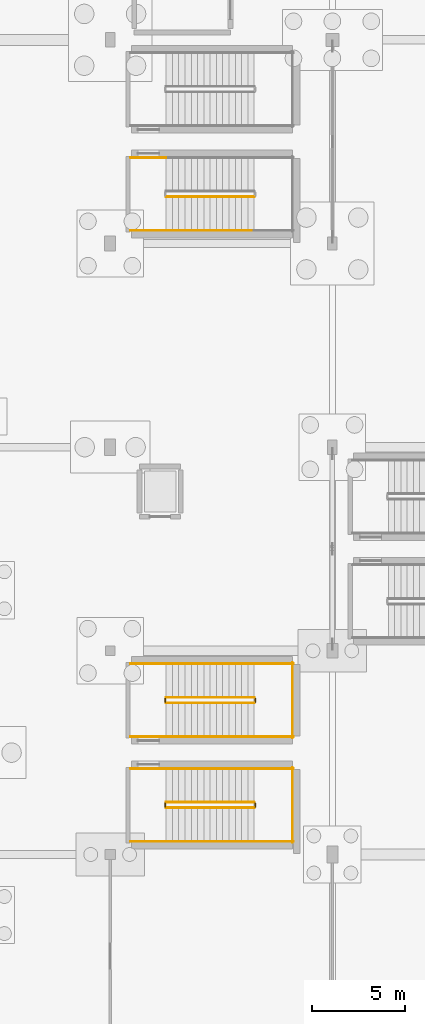
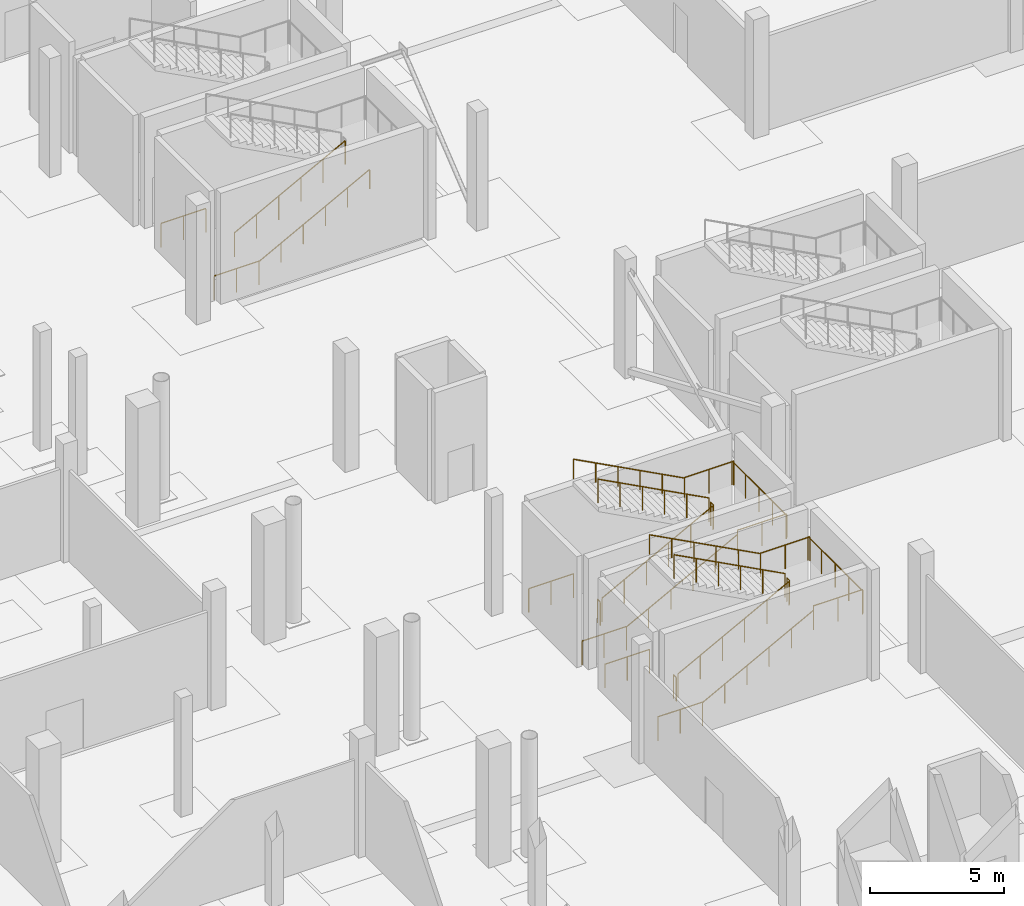
# One storey, part 55 of 60: 26 railings.
"""IFC4 building model written with IfcOpenShell, lengths in metres."""

from ifc_helpers import new_model, si_unit, direction, frame, origin, origin_2d, place, context, subcontext, project, spatial, circle, extrude, material, type_object, element, save


model = new_model("IFC4")

# Units and contexts
model_context = context("Model", 3, precision=1e-05, world=origin(), true_north=direction((0.0, 1.0)))
body_context = subcontext(model_context, "Body", "Model", "MODEL_VIEW")
ifc_project = project(units=[si_unit("LENGTHUNIT", "METRE"), si_unit("AREAUNIT", "SQUARE_METRE"), si_unit("VOLUMEUNIT", "CUBIC_METRE"), si_unit("PLANEANGLEUNIT", "RADIAN"), si_unit("MASSUNIT", "GRAM", prefix="KILO")], contexts=[model_context])

# Site, building, storey
site_placement = place(None, origin())
site = spatial("IfcSite", under=ifc_project, at=site_placement, CompositionType="ELEMENT")
building_placement = place(site_placement, origin())
building = spatial("IfcBuilding", under=site, at=building_placement, Name="Luwafu Chhajja Arena", CompositionType="ELEMENT")
storey_placement = place(building_placement, frame((0.0, 0.0, -5.39990234375)))
storey = spatial("IfcBuildingStorey", under=building, at=storey_placement, Name="B1", CompositionType="ELEMENT", Elevation=-5.39990234375)

# Railings
ifc_material_1 = material(Name="Stainless steel handrail", Category="steel")
railing_type_1 = type_object("IfcRailingType", Name="Stair Pitch Wall Handrail 920", PredefinedType="HANDRAIL", material=ifc_material_1)
for number, where, name in (
    (1, (155.02001953125, 77.699951171875, 0.179931640625), "B1 ST-07 stair handrail 1"),
    (2, (155.02001953125, 44.699951171875, 0.179931640625), "B1 ST-11 stair handrail 1"),
):
    element("IfcRailing", number, at=place(storey_placement, frame(where)), inside=storey, type_object=railing_type_1, Name=name, PredefinedType="HANDRAIL", context=body_context, shape_type="SweptSolid", body=[
        extrude(circle(Radius=0.02392578125, at=origin_2d()), frame((0.0, 0.0, 0.8759765625), z_axis=(0.883786813738, 0.0, 0.467889803119), x_axis=(0.0, 1.0, 0.0)), (0.0, 0.0, 1.0), 5.385986328125),
        extrude(circle(Radius=0.02099609375, at=origin_2d()), origin(), (0.0, 0.0, 1.0), 0.851806640625),
        extrude(circle(Radius=0.02099609375, at=origin_2d()), frame((0.951904296875, 0.0, 0.50390625)), (0.0, 0.0, 1.0), 0.851806640625),
        extrude(circle(Radius=0.02099609375, at=origin_2d()), frame((1.904052734375, 0.0, 1.008056640625)), (0.0, 0.0, 1.0), 0.851806640625),
        extrude(circle(Radius=0.02099609375, at=origin_2d()), frame((2.85595703125, 0.0, 1.511962890625)), (0.0, 0.0, 1.0), 0.851806640625),
        extrude(circle(Radius=0.02099609375, at=origin_2d()), frame((3.80810546875, 0.0, 2.01611328125)), (0.0, 0.0, 1.0), 0.851806640625),
        extrude(circle(Radius=0.02099609375, at=origin_2d()), frame((4.760009765625, 0.0, 2.52001953125)), (0.0, 0.0, 1.0), 0.851806640625),
    ])
railing_1_placement = place(storey_placement, frame((159.780029296875, 48.639892578125, 2.8798828125)))
element("IfcRailing", 3, at=railing_1_placement, inside=storey, type_object=railing_type_1, Name="B1 ST-11 stair handrail 2", PredefinedType="HANDRAIL", context=body_context, shape_type="SweptSolid", body=[
    extrude(circle(Radius=0.02392578125, at=origin_2d()), frame((0.0, 0.0, 0.8759765625), z_axis=(-0.883786813738, 0.0, 0.467889803119), x_axis=(0.0, -1.0, 0.0)), (0.0, 0.0, 1.0), 5.385986328125),
    extrude(circle(Radius=0.02099609375, at=origin_2d()), origin(), (0.0, 0.0, 1.0), 0.851806640625),
    extrude(circle(Radius=0.02099609375, at=origin_2d()), frame((-0.951904296875, 0.0, 0.50390625)), (0.0, 0.0, 1.0), 0.851806640625),
    extrude(circle(Radius=0.02099609375, at=origin_2d()), frame((-1.904052734375, 0.0, 1.008056640625)), (0.0, 0.0, 1.0), 0.851806640625),
    extrude(circle(Radius=0.02099609375, at=origin_2d()), frame((-2.85595703125, 0.0, 1.511962890625)), (0.0, 0.0, 1.0), 0.851806640625),
    extrude(circle(Radius=0.02099609375, at=origin_2d()), frame((-3.80810546875, 0.0, 2.01611328125)), (0.0, 0.0, 1.0), 0.851806640625),
    extrude(circle(Radius=0.02099609375, at=origin_2d()), frame((-4.760009765625, 0.0, 2.52001953125)), (0.0, 0.0, 1.0), 0.851806640625),
])
railing_2_placement = place(storey_placement, frame((155.02001953125, 50.360107421875, 0.179931640625)))
element("IfcRailing", 4, at=railing_2_placement, inside=storey, type_object=railing_type_1, Name="B1 ST-12 stair handrail 1", PredefinedType="HANDRAIL", context=body_context, shape_type="SweptSolid", body=[
    extrude(circle(Radius=0.02392578125, at=origin_2d()), frame((0.0, 0.0, 0.8759765625), z_axis=(0.883786813738, 0.0, 0.467889803119), x_axis=(0.0, 1.0, 0.0)), (0.0, 0.0, 1.0), 5.385986328125),
    extrude(circle(Radius=0.02099609375, at=origin_2d()), origin(), (0.0, 0.0, 1.0), 0.851806640625),
    extrude(circle(Radius=0.02099609375, at=origin_2d()), frame((0.951904296875, 0.0, 0.50390625)), (0.0, 0.0, 1.0), 0.851806640625),
    extrude(circle(Radius=0.02099609375, at=origin_2d()), frame((1.904052734375, 0.0, 1.008056640625)), (0.0, 0.0, 1.0), 0.851806640625),
    extrude(circle(Radius=0.02099609375, at=origin_2d()), frame((2.85595703125, 0.0, 1.511962890625)), (0.0, 0.0, 1.0), 0.851806640625),
    extrude(circle(Radius=0.02099609375, at=origin_2d()), frame((3.80810546875, 0.0, 2.01611328125)), (0.0, 0.0, 1.0), 0.851806640625),
    extrude(circle(Radius=0.02099609375, at=origin_2d()), frame((4.760009765625, 0.0, 2.52001953125)), (0.0, 0.0, 1.0), 0.851806640625),
])
railing_3_placement = place(storey_placement, frame((159.780029296875, 54.300048828125, 2.8798828125)))
element("IfcRailing", 5, at=railing_3_placement, inside=storey, type_object=railing_type_1, Name="B1 ST-12 stair handrail 2", PredefinedType="HANDRAIL", context=body_context, shape_type="SweptSolid", body=[
    extrude(circle(Radius=0.02392578125, at=origin_2d()), frame((0.0, 0.0, 0.8759765625), z_axis=(-0.883786813738, 0.0, 0.467889803119), x_axis=(0.0, -1.0, 0.0)), (0.0, 0.0, 1.0), 5.385986328125),
    extrude(circle(Radius=0.02099609375, at=origin_2d()), origin(), (0.0, 0.0, 1.0), 0.851806640625),
    extrude(circle(Radius=0.02099609375, at=origin_2d()), frame((-0.951904296875, 0.0, 0.50390625)), (0.0, 0.0, 1.0), 0.851806640625),
    extrude(circle(Radius=0.02099609375, at=origin_2d()), frame((-1.904052734375, 0.0, 1.008056640625)), (0.0, 0.0, 1.0), 0.851806640625),
    extrude(circle(Radius=0.02099609375, at=origin_2d()), frame((-2.85595703125, 0.0, 1.511962890625)), (0.0, 0.0, 1.0), 0.851806640625),
    extrude(circle(Radius=0.02099609375, at=origin_2d()), frame((-3.80810546875, 0.0, 2.01611328125)), (0.0, 0.0, 1.0), 0.851806640625),
    extrude(circle(Radius=0.02099609375, at=origin_2d()), frame((-4.760009765625, 0.0, 2.52001953125)), (0.0, 0.0, 1.0), 0.851806640625),
])
ifc_material_2 = material(Name="Stainless steel balustrade", Category="steel")
railing_type_2 = type_object("IfcRailingType", Name="Stair and Terrace Guard Balustrade 1100", PredefinedType="BALUSTRADE", material=ifc_material_2)
railing_4_placement = place(storey_placement, frame((155.02001953125, 79.52001953125, 0.179931640625)))
element("IfcRailing", 6, at=railing_4_placement, inside=storey, type_object=railing_type_2, Name="B1 ST-07 stair guard 1", PredefinedType="BALUSTRADE", context=body_context, shape_type="SweptSolid", body=[
    extrude(circle(Radius=0.02392578125, at=origin_2d()), frame((0.0, 0.0, 1.076171875), z_axis=(0.883786813738, 0.0, 0.467889803119), x_axis=(0.0, 1.0, 0.0)), (0.0, 0.0, 1.0), 5.385986328125),
    extrude(circle(Radius=0.02099609375, at=origin_2d()), origin(), (0.0, 0.0, 1.0), 1.052001953125),
    extrude(circle(Radius=0.02099609375, at=origin_2d()), frame((0.951904296875, 0.0, 0.50390625)), (0.0, 0.0, 1.0), 1.052001953125),
    extrude(circle(Radius=0.02099609375, at=origin_2d()), frame((1.904052734375, 0.0, 1.008056640625)), (0.0, 0.0, 1.0), 1.052001953125),
    extrude(circle(Radius=0.02099609375, at=origin_2d()), frame((2.85595703125, 0.0, 1.511962890625)), (0.0, 0.0, 1.0), 1.052001953125),
    extrude(circle(Radius=0.02099609375, at=origin_2d()), frame((3.80810546875, 0.0, 2.01611328125)), (0.0, 0.0, 1.0), 1.052001953125),
    extrude(circle(Radius=0.02099609375, at=origin_2d()), frame((4.760009765625, 0.0, 2.52001953125)), (0.0, 0.0, 1.0), 1.052001953125),
])
for number, where, name in (
    (7, (153.10009765625, 77.699951171875, 0.0), "B1 ST-07 stair guard 8"),
    (8, (153.10009765625, 81.639892578125, 0.0), "B1 ST-07 stair guard 9"),
):
    element("IfcRailing", number, at=place(storey_placement, frame(where)), inside=storey, type_object=railing_type_2, Name=name, PredefinedType="BALUSTRADE", context=body_context, shape_type="SweptSolid", body=[
        extrude(circle(Radius=0.02392578125, at=origin_2d()), frame((0.0, 0.0, 1.076171875), z_axis=(1.0, 0.0, 0.0), x_axis=(0.0, 1.0, 0.0)), (0.0, 0.0, 1.0), 1.919921875),
        extrude(circle(Radius=0.02099609375, at=origin_2d()), origin(), (0.0, 0.0, 1.0), 1.052001953125),
        extrude(circle(Radius=0.02099609375, at=origin_2d()), frame((0.9599609375, 0.0, 0.0)), (0.0, 0.0, 1.0), 1.052001953125),
        extrude(circle(Radius=0.02099609375, at=origin_2d()), frame((1.919921875, 0.0, 0.0)), (0.0, 0.0, 1.0), 1.052001953125),
    ])
railing_5_placement = place(storey_placement, frame((155.02001953125, 46.52001953125, 0.179931640625)))
element("IfcRailing", 9, at=railing_5_placement, inside=storey, type_object=railing_type_2, Name="B1 ST-11 stair guard 1", PredefinedType="BALUSTRADE", context=body_context, shape_type="SweptSolid", body=[
    extrude(circle(Radius=0.02392578125, at=origin_2d()), frame((0.0, 0.0, 1.076171875), z_axis=(0.883786813738, 0.0, 0.467889803119), x_axis=(0.0, 1.0, 0.0)), (0.0, 0.0, 1.0), 5.385986328125),
    extrude(circle(Radius=0.02099609375, at=origin_2d()), origin(), (0.0, 0.0, 1.0), 1.052001953125),
    extrude(circle(Radius=0.02099609375, at=origin_2d()), frame((0.951904296875, 0.0, 0.50390625)), (0.0, 0.0, 1.0), 1.052001953125),
    extrude(circle(Radius=0.02099609375, at=origin_2d()), frame((1.904052734375, 0.0, 1.008056640625)), (0.0, 0.0, 1.0), 1.052001953125),
    extrude(circle(Radius=0.02099609375, at=origin_2d()), frame((2.85595703125, 0.0, 1.511962890625)), (0.0, 0.0, 1.0), 1.052001953125),
    extrude(circle(Radius=0.02099609375, at=origin_2d()), frame((3.80810546875, 0.0, 2.01611328125)), (0.0, 0.0, 1.0), 1.052001953125),
    extrude(circle(Radius=0.02099609375, at=origin_2d()), frame((4.760009765625, 0.0, 2.52001953125)), (0.0, 0.0, 1.0), 1.052001953125),
])
railing_6_placement = place(storey_placement, frame((159.830078125, 46.570068359375, 2.699951171875)))
element("IfcRailing", 10, at=railing_6_placement, inside=storey, type_object=railing_type_2, Name="B1 ST-11 stair guard 2", PredefinedType="BALUSTRADE", context=body_context, shape_type="SweptSolid", body=[
    extrude(circle(Radius=0.02392578125, at=origin_2d()), frame((0.0, 0.0, 1.076171875), z_axis=(0.0, 1.0, 0.0), x_axis=(-1.0, 0.0, 0.0)), (0.0, 0.0, 1.0), 0.199951171875),
    extrude(circle(Radius=0.02099609375, at=origin_2d()), origin(), (0.0, 0.0, 1.0), 1.052001953125),
    extrude(circle(Radius=0.02099609375, at=origin_2d()), frame((0.0, 0.199951171875, 0.0)), (0.0, 0.0, 1.0), 1.052001953125),
])
for number, where, name in (
    (11, (159.780029296875, 44.699951171875, 2.699951171875), "B1 ST-11 stair guard 3"),
    (12, (159.780029296875, 48.639892578125, 2.699951171875), "B1 ST-11 stair guard 4"),
):
    element("IfcRailing", number, at=place(storey_placement, frame(where)), inside=storey, type_object=railing_type_2, Name=name, PredefinedType="BALUSTRADE", context=body_context, shape_type="SweptSolid", body=[
        extrude(circle(Radius=0.02392578125, at=origin_2d()), frame((0.0, 0.0, 1.076171875), z_axis=(1.0, 0.0, 0.0), x_axis=(0.0, 1.0, 0.0)), (0.0, 0.0, 1.0), 2.119873046875),
        extrude(circle(Radius=0.02099609375, at=origin_2d()), origin(), (0.0, 0.0, 1.0), 1.052001953125),
        extrude(circle(Radius=0.02099609375, at=origin_2d()), frame((1.06005859375, 0.0, 0.0)), (0.0, 0.0, 1.0), 1.052001953125),
        extrude(circle(Radius=0.02099609375, at=origin_2d()), frame((2.119873046875, 0.0, 0.0)), (0.0, 0.0, 1.0), 1.052001953125),
    ])
railing_7_placement = place(storey_placement, frame((161.85009765625, 44.64990234375, 2.699951171875)))
element("IfcRailing", 13, at=railing_7_placement, inside=storey, type_object=railing_type_2, Name="B1 ST-11 stair guard 5", PredefinedType="BALUSTRADE", context=body_context, shape_type="SweptSolid", body=[
    extrude(circle(Radius=0.02392578125, at=origin_2d()), frame((0.0, 0.0, 1.076171875), z_axis=(0.0, 1.0, 0.0), x_axis=(-1.0, 0.0, 0.0)), (0.0, 0.0, 1.0), 4.0400390625),
    extrude(circle(Radius=0.02099609375, at=origin_2d()), origin(), (0.0, 0.0, 1.0), 1.052001953125),
    extrude(circle(Radius=0.02099609375, at=origin_2d()), frame((0.0, 1.010009765625, 0.0)), (0.0, 0.0, 1.0), 1.052001953125),
    extrude(circle(Radius=0.02099609375, at=origin_2d()), frame((0.0, 2.02001953125, 0.0)), (0.0, 0.0, 1.0), 1.052001953125),
    extrude(circle(Radius=0.02099609375, at=origin_2d()), frame((0.0, 3.030029296875, 0.0)), (0.0, 0.0, 1.0), 1.052001953125),
    extrude(circle(Radius=0.02099609375, at=origin_2d()), frame((0.0, 4.0400390625, 0.0)), (0.0, 0.0, 1.0), 1.052001953125),
])
railing_8_placement = place(storey_placement, frame((159.780029296875, 46.820068359375, 2.8798828125)))
element("IfcRailing", 14, at=railing_8_placement, inside=storey, type_object=railing_type_2, Name="B1 ST-11 stair guard 6", PredefinedType="BALUSTRADE", context=body_context, shape_type="SweptSolid", body=[
    extrude(circle(Radius=0.02392578125, at=origin_2d()), frame((0.0, 0.0, 1.076171875), z_axis=(-0.883786813738, 0.0, 0.467889803119), x_axis=(0.0, -1.0, 0.0)), (0.0, 0.0, 1.0), 5.385986328125),
    extrude(circle(Radius=0.02099609375, at=origin_2d()), origin(), (0.0, 0.0, 1.0), 1.052001953125),
    extrude(circle(Radius=0.02099609375, at=origin_2d()), frame((-0.951904296875, 0.0, 0.50390625)), (0.0, 0.0, 1.0), 1.052001953125),
    extrude(circle(Radius=0.02099609375, at=origin_2d()), frame((-1.904052734375, 0.0, 1.008056640625)), (0.0, 0.0, 1.0), 1.052001953125),
    extrude(circle(Radius=0.02099609375, at=origin_2d()), frame((-2.85595703125, 0.0, 1.511962890625)), (0.0, 0.0, 1.0), 1.052001953125),
    extrude(circle(Radius=0.02099609375, at=origin_2d()), frame((-3.80810546875, 0.0, 2.01611328125)), (0.0, 0.0, 1.0), 1.052001953125),
    extrude(circle(Radius=0.02099609375, at=origin_2d()), frame((-4.760009765625, 0.0, 2.52001953125)), (0.0, 0.0, 1.0), 1.052001953125),
])
railing_9_placement = place(storey_placement, frame((154.969970703125, 46.570068359375, 0.0)))
element("IfcRailing", 15, at=railing_9_placement, inside=storey, type_object=railing_type_2, Name="B1 ST-11 stair guard 7", PredefinedType="BALUSTRADE", context=body_context, shape_type="SweptSolid", body=[
    extrude(circle(Radius=0.02392578125, at=origin_2d()), frame((0.0, 0.0, 1.076171875), z_axis=(0.0, 1.0, 0.0), x_axis=(-1.0, 0.0, 0.0)), (0.0, 0.0, 1.0), 0.199951171875),
    extrude(circle(Radius=0.02099609375, at=origin_2d()), origin(), (0.0, 0.0, 1.0), 1.052001953125),
    extrude(circle(Radius=0.02099609375, at=origin_2d()), frame((0.0, 0.199951171875, 0.0)), (0.0, 0.0, 1.0), 1.052001953125),
])
for number, where, name in (
    (16, (153.10009765625, 44.699951171875, 0.0), "B1 ST-11 stair guard 8"),
    (17, (153.10009765625, 48.639892578125, 0.0), "B1 ST-11 stair guard 9"),
):
    element("IfcRailing", number, at=place(storey_placement, frame(where)), inside=storey, type_object=railing_type_2, Name=name, PredefinedType="BALUSTRADE", context=body_context, shape_type="SweptSolid", body=[
        extrude(circle(Radius=0.02392578125, at=origin_2d()), frame((0.0, 0.0, 1.076171875), z_axis=(1.0, 0.0, 0.0), x_axis=(0.0, 1.0, 0.0)), (0.0, 0.0, 1.0), 1.919921875),
        extrude(circle(Radius=0.02099609375, at=origin_2d()), origin(), (0.0, 0.0, 1.0), 1.052001953125),
        extrude(circle(Radius=0.02099609375, at=origin_2d()), frame((0.9599609375, 0.0, 0.0)), (0.0, 0.0, 1.0), 1.052001953125),
        extrude(circle(Radius=0.02099609375, at=origin_2d()), frame((1.919921875, 0.0, 0.0)), (0.0, 0.0, 1.0), 1.052001953125),
    ])
railing_10_placement = place(storey_placement, frame((155.02001953125, 52.179931640625, 0.179931640625)))
element("IfcRailing", 18, at=railing_10_placement, inside=storey, type_object=railing_type_2, Name="B1 ST-12 stair guard 1", PredefinedType="BALUSTRADE", context=body_context, shape_type="SweptSolid", body=[
    extrude(circle(Radius=0.02392578125, at=origin_2d()), frame((0.0, 0.0, 1.076171875), z_axis=(0.883786813738, 0.0, 0.467889803119), x_axis=(0.0, 1.0, 0.0)), (0.0, 0.0, 1.0), 5.385986328125),
    extrude(circle(Radius=0.02099609375, at=origin_2d()), origin(), (0.0, 0.0, 1.0), 1.052001953125),
    extrude(circle(Radius=0.02099609375, at=origin_2d()), frame((0.951904296875, 0.0, 0.50390625)), (0.0, 0.0, 1.0), 1.052001953125),
    extrude(circle(Radius=0.02099609375, at=origin_2d()), frame((1.904052734375, 0.0, 1.008056640625)), (0.0, 0.0, 1.0), 1.052001953125),
    extrude(circle(Radius=0.02099609375, at=origin_2d()), frame((2.85595703125, 0.0, 1.511962890625)), (0.0, 0.0, 1.0), 1.052001953125),
    extrude(circle(Radius=0.02099609375, at=origin_2d()), frame((3.80810546875, 0.0, 2.01611328125)), (0.0, 0.0, 1.0), 1.052001953125),
    extrude(circle(Radius=0.02099609375, at=origin_2d()), frame((4.760009765625, 0.0, 2.52001953125)), (0.0, 0.0, 1.0), 1.052001953125),
])
railing_11_placement = place(storey_placement, frame((159.830078125, 52.22998046875, 2.699951171875)))
element("IfcRailing", 19, at=railing_11_placement, inside=storey, type_object=railing_type_2, Name="B1 ST-12 stair guard 2", PredefinedType="BALUSTRADE", context=body_context, shape_type="SweptSolid", body=[
    extrude(circle(Radius=0.02392578125, at=origin_2d()), frame((0.0, 0.0, 1.076171875), z_axis=(0.0, 1.0, 0.0), x_axis=(-1.0, 0.0, 0.0)), (0.0, 0.0, 1.0), 0.199951171875),
    extrude(circle(Radius=0.02099609375, at=origin_2d()), origin(), (0.0, 0.0, 1.0), 1.052001953125),
    extrude(circle(Radius=0.02099609375, at=origin_2d()), frame((0.0, 0.199951171875, 0.0)), (0.0, 0.0, 1.0), 1.052001953125),
])
for number, where, name in (
    (20, (159.780029296875, 50.360107421875, 2.699951171875), "B1 ST-12 stair guard 3"),
    (21, (159.780029296875, 54.300048828125, 2.699951171875), "B1 ST-12 stair guard 4"),
):
    element("IfcRailing", number, at=place(storey_placement, frame(where)), inside=storey, type_object=railing_type_2, Name=name, PredefinedType="BALUSTRADE", context=body_context, shape_type="SweptSolid", body=[
        extrude(circle(Radius=0.02392578125, at=origin_2d()), frame((0.0, 0.0, 1.076171875), z_axis=(1.0, 0.0, 0.0), x_axis=(0.0, 1.0, 0.0)), (0.0, 0.0, 1.0), 2.119873046875),
        extrude(circle(Radius=0.02099609375, at=origin_2d()), origin(), (0.0, 0.0, 1.0), 1.052001953125),
        extrude(circle(Radius=0.02099609375, at=origin_2d()), frame((1.06005859375, 0.0, 0.0)), (0.0, 0.0, 1.0), 1.052001953125),
        extrude(circle(Radius=0.02099609375, at=origin_2d()), frame((2.119873046875, 0.0, 0.0)), (0.0, 0.0, 1.0), 1.052001953125),
    ])
railing_12_placement = place(storey_placement, frame((161.85009765625, 50.31005859375, 2.699951171875)))
element("IfcRailing", 22, at=railing_12_placement, inside=storey, type_object=railing_type_2, Name="B1 ST-12 stair guard 5", PredefinedType="BALUSTRADE", context=body_context, shape_type="SweptSolid", body=[
    extrude(circle(Radius=0.02392578125, at=origin_2d()), frame((0.0, 0.0, 1.076171875), z_axis=(0.0, 1.0, 0.0), x_axis=(-1.0, 0.0, 0.0)), (0.0, 0.0, 1.0), 4.0400390625),
    extrude(circle(Radius=0.02099609375, at=origin_2d()), origin(), (0.0, 0.0, 1.0), 1.052001953125),
    extrude(circle(Radius=0.02099609375, at=origin_2d()), frame((0.0, 1.010009765625, 0.0)), (0.0, 0.0, 1.0), 1.052001953125),
    extrude(circle(Radius=0.02099609375, at=origin_2d()), frame((0.0, 2.02001953125, 0.0)), (0.0, 0.0, 1.0), 1.052001953125),
    extrude(circle(Radius=0.02099609375, at=origin_2d()), frame((0.0, 3.030029296875, 0.0)), (0.0, 0.0, 1.0), 1.052001953125),
    extrude(circle(Radius=0.02099609375, at=origin_2d()), frame((0.0, 4.0400390625, 0.0)), (0.0, 0.0, 1.0), 1.052001953125),
])
railing_13_placement = place(storey_placement, frame((159.780029296875, 52.47998046875, 2.8798828125)))
element("IfcRailing", 23, at=railing_13_placement, inside=storey, type_object=railing_type_2, Name="B1 ST-12 stair guard 6", PredefinedType="BALUSTRADE", context=body_context, shape_type="SweptSolid", body=[
    extrude(circle(Radius=0.02392578125, at=origin_2d()), frame((0.0, 0.0, 1.076171875), z_axis=(-0.883786813738, 0.0, 0.467889803119), x_axis=(0.0, -1.0, 0.0)), (0.0, 0.0, 1.0), 5.385986328125),
    extrude(circle(Radius=0.02099609375, at=origin_2d()), origin(), (0.0, 0.0, 1.0), 1.052001953125),
    extrude(circle(Radius=0.02099609375, at=origin_2d()), frame((-0.951904296875, 0.0, 0.50390625)), (0.0, 0.0, 1.0), 1.052001953125),
    extrude(circle(Radius=0.02099609375, at=origin_2d()), frame((-1.904052734375, 0.0, 1.008056640625)), (0.0, 0.0, 1.0), 1.052001953125),
    extrude(circle(Radius=0.02099609375, at=origin_2d()), frame((-2.85595703125, 0.0, 1.511962890625)), (0.0, 0.0, 1.0), 1.052001953125),
    extrude(circle(Radius=0.02099609375, at=origin_2d()), frame((-3.80810546875, 0.0, 2.01611328125)), (0.0, 0.0, 1.0), 1.052001953125),
    extrude(circle(Radius=0.02099609375, at=origin_2d()), frame((-4.760009765625, 0.0, 2.52001953125)), (0.0, 0.0, 1.0), 1.052001953125),
])
railing_14_placement = place(storey_placement, frame((154.969970703125, 52.22998046875, 0.0)))
element("IfcRailing", 24, at=railing_14_placement, inside=storey, type_object=railing_type_2, Name="B1 ST-12 stair guard 7", PredefinedType="BALUSTRADE", context=body_context, shape_type="SweptSolid", body=[
    extrude(circle(Radius=0.02392578125, at=origin_2d()), frame((0.0, 0.0, 1.076171875), z_axis=(0.0, 1.0, 0.0), x_axis=(-1.0, 0.0, 0.0)), (0.0, 0.0, 1.0), 0.199951171875),
    extrude(circle(Radius=0.02099609375, at=origin_2d()), origin(), (0.0, 0.0, 1.0), 1.052001953125),
    extrude(circle(Radius=0.02099609375, at=origin_2d()), frame((0.0, 0.199951171875, 0.0)), (0.0, 0.0, 1.0), 1.052001953125),
])
for number, where, name in (
    (25, (153.10009765625, 50.360107421875, 0.0), "B1 ST-12 stair guard 8"),
    (26, (153.10009765625, 54.300048828125, 0.0), "B1 ST-12 stair guard 9"),
):
    element("IfcRailing", number, at=place(storey_placement, frame(where)), inside=storey, type_object=railing_type_2, Name=name, PredefinedType="BALUSTRADE", context=body_context, shape_type="SweptSolid", body=[
        extrude(circle(Radius=0.02392578125, at=origin_2d()), frame((0.0, 0.0, 1.076171875), z_axis=(1.0, 0.0, 0.0), x_axis=(0.0, 1.0, 0.0)), (0.0, 0.0, 1.0), 1.919921875),
        extrude(circle(Radius=0.02099609375, at=origin_2d()), origin(), (0.0, 0.0, 1.0), 1.052001953125),
        extrude(circle(Radius=0.02099609375, at=origin_2d()), frame((0.9599609375, 0.0, 0.0)), (0.0, 0.0, 1.0), 1.052001953125),
        extrude(circle(Radius=0.02099609375, at=origin_2d()), frame((1.919921875, 0.0, 0.0)), (0.0, 0.0, 1.0), 1.052001953125),
    ])

save(model, "model.ifc")
